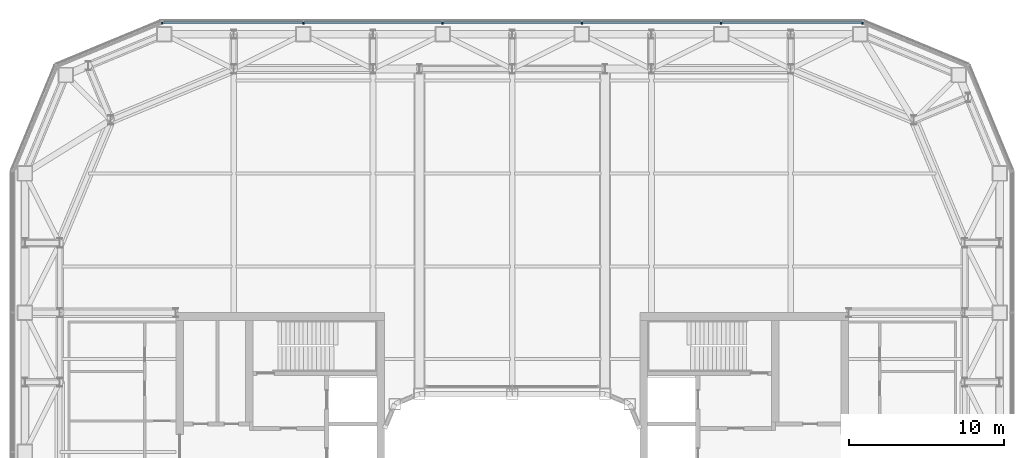
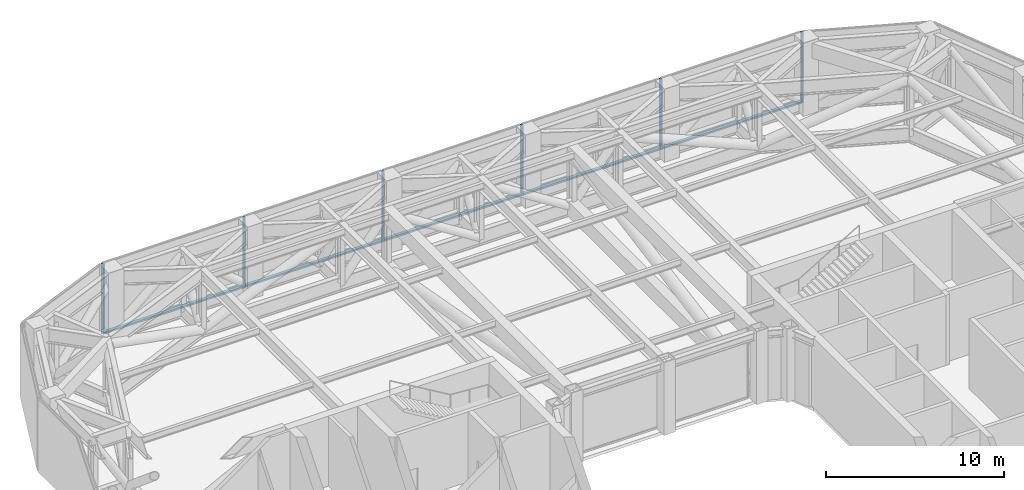
# One storey, part 14 of 33: 11 members, 2 elements without a shape of their own.
"""IFC4 building model written with IfcOpenShell, lengths in metres."""

from ifc_helpers import new_model, si_unit, direction, frame, origin, origin_2d, place, context, subcontext, project, spatial, rectangle, extrude, material, layer, layer_set, material_profile, profile_set, type_object, element, aggregate, save


model = new_model("IFC4")

# Units and contexts
model_context = context("Model", 3, precision=1e-05, world=origin(), true_north=direction((0.0, 1.0)))
body_context = subcontext(model_context, "Body", "Model", "MODEL_VIEW")
ifc_project = project(units=[si_unit("LENGTHUNIT", "METRE"), si_unit("AREAUNIT", "SQUARE_METRE"), si_unit("VOLUMEUNIT", "CUBIC_METRE"), si_unit("PLANEANGLEUNIT", "RADIAN"), si_unit("MASSUNIT", "GRAM", prefix="KILO")], contexts=[model_context])

# Site, building, storey
site_placement = place(None, origin())
site = spatial("IfcSite", under=ifc_project, at=site_placement, CompositionType="ELEMENT")
building_placement = place(site_placement, origin())
building = spatial("IfcBuilding", under=site, at=building_placement, Name="Siwar Civic Tower", CompositionType="ELEMENT")
storey_placement = place(building_placement, frame((0.0, 0.0, 94.199951171875)))
storey = spatial("IfcBuildingStorey", under=building, at=storey_placement, Name="L20", CompositionType="ELEMENT", Elevation=94.199951171875)

# Curtain wall, members
ifc_material_1 = material(Name="Aluminium and glass", Category="aluminium")
ifc_layer = layer(ifc_material_1, 0.199951171875)
ifc_layer_set = layer_set([ifc_layer], Name="Aluminium and glass")
curtain_wall_type = type_object("IfcCurtainWallType", Name="ENV-CW-P", PredefinedType="NOTDEFINED", material=ifc_layer_set)
curtain_wall_1_placement = place(storey_placement, origin())
curtain_wall_1 = element("IfcCurtainWall", 1, at=curtain_wall_1_placement, inside=storey, type_object=curtain_wall_type, Name="Curtain wall P N", PredefinedType="NOTDEFINED")
ifc_material_2 = material(Name="Aluminium 6063-T6", Category="aluminium")
ifc_material_profile_1 = material_profile(ifc_material_2, rectangle(XDim=0.199951171875, YDim=0.10009765625, at=origin_2d()), Name="AL 200x100")
ifc_profile_set_1 = profile_set([ifc_material_profile_1], Name="Aluminium 6063-T6")
member_type_1 = type_object("IfcMemberType", Name="ENV-MULLION-P", PredefinedType="MULLION", material=ifc_profile_set_1)
member_1_placement = place(storey_placement, frame((22.649169921875, 32.25, 0.0), z_axis=(0.0, 0.0, 1.0), x_axis=(0.0, -1.0, 0.0)))
member_1 = element("IfcMember", 2, at=member_1_placement, type_object=member_type_1, Name="Mullion P N 1", PredefinedType="MULLION", context=body_context, shape_type="SweptSolid", body=[
    extrude(rectangle(XDim=0.199951171875, YDim=0.10009765625, at=origin_2d()), origin(), (0.0, 0.0, 1.0), 4.800048828125),
])
member_2_placement = place(storey_placement, frame((13.5, 32.25, 0.0), z_axis=(0.0, 0.0, 1.0), x_axis=(0.0, -1.0, 0.0)))
member_2 = element("IfcMember", 3, at=member_2_placement, type_object=member_type_1, Name="Mullion P N 2", PredefinedType="MULLION", context=body_context, shape_type="SweptSolid", body=[
    extrude(rectangle(XDim=0.199951171875, YDim=0.10009765625, at=origin_2d()), origin(), (0.0, 0.0, 1.0), 4.800048828125),
])
member_3_placement = place(storey_placement, frame((4.5, 32.25, 0.0), z_axis=(0.0, 0.0, 1.0), x_axis=(0.0, -1.0, 0.0)))
member_3 = element("IfcMember", 4, at=member_3_placement, type_object=member_type_1, Name="Mullion P N 3", PredefinedType="MULLION", context=body_context, shape_type="SweptSolid", body=[
    extrude(rectangle(XDim=0.199951171875, YDim=0.10009765625, at=origin_2d()), origin(), (0.0, 0.0, 1.0), 4.800048828125),
])
member_4_placement = place(storey_placement, frame((-4.5, 32.25, 0.0), z_axis=(0.0, 0.0, 1.0), x_axis=(0.0, -1.0, 0.0)))
member_4 = element("IfcMember", 5, at=member_4_placement, type_object=member_type_1, Name="Mullion P N 4", PredefinedType="MULLION", context=body_context, shape_type="SweptSolid", body=[
    extrude(rectangle(XDim=0.199951171875, YDim=0.10009765625, at=origin_2d()), origin(), (0.0, 0.0, 1.0), 4.800048828125),
])
member_5_placement = place(storey_placement, frame((-13.5, 32.25, 0.0), z_axis=(0.0, 0.0, 1.0), x_axis=(0.0, -1.0, 0.0)))
member_5 = element("IfcMember", 6, at=member_5_placement, type_object=member_type_1, Name="Mullion P N 5", PredefinedType="MULLION", context=body_context, shape_type="SweptSolid", body=[
    extrude(rectangle(XDim=0.199951171875, YDim=0.10009765625, at=origin_2d()), origin(), (0.0, 0.0, 1.0), 4.800048828125),
])

# Curtain wall, member
curtain_wall_2_placement = place(storey_placement, origin())
curtain_wall_2 = element("IfcCurtainWall", 7, at=curtain_wall_2_placement, inside=storey, type_object=curtain_wall_type, Name="Curtain wall P NW1", PredefinedType="NOTDEFINED")
member_6_placement = place(storey_placement, frame((-22.649169921875, 32.25, 0.0), z_axis=(0.0, 0.0, 1.0), x_axis=(0.382683432365, -0.923879532511, 0.0)))
member_6 = element("IfcMember", 8, at=member_6_placement, type_object=member_type_1, Name="Mullion P NW1 1", PredefinedType="MULLION", context=body_context, shape_type="SweptSolid", body=[
    extrude(rectangle(XDim=0.199951171875, YDim=0.10009765625, at=origin_2d()), origin(), (0.0, 0.0, 1.0), 4.800048828125),
])
aggregate(curtain_wall_2, [member_6])

# Member
ifc_material_3 = material(Name="Aluminium 6063-T6", Category="aluminium")
ifc_material_profile_2 = material_profile(ifc_material_3, rectangle(XDim=0.199951171875, YDim=0.1201171875, at=origin_2d()), Name="AL 200x120")
ifc_profile_set_2 = profile_set([ifc_material_profile_2], Name="Aluminium 6063-T6")
member_type_2 = type_object("IfcMemberType", Name="ENV-TRANSOM-P", PredefinedType="USERDEFINED", material=ifc_profile_set_2)
member_7_placement = place(storey_placement, frame((22.59912109375, 32.25, 0.06005859375), z_axis=(-1.0, 0.0, 0.0), x_axis=(0.0, -1.0, 0.0)))
member_7 = element("IfcMember", 9, at=member_7_placement, type_object=member_type_2, Name="Transom P N 1", ObjectType="TRANSOM", PredefinedType="USERDEFINED", context=body_context, shape_type="SweptSolid", body=[
    extrude(rectangle(XDim=0.199951171875, YDim=0.1201171875, at=origin_2d()), origin(), (0.0, 0.0, 1.0), 9.049072265625),
])

member_8_placement = place(storey_placement, frame((13.449951171875, 32.25, 0.06005859375), z_axis=(-1.0, 0.0, 0.0), x_axis=(0.0, -1.0, 0.0)))
member_8 = element("IfcMember", 10, at=member_8_placement, type_object=member_type_2, Name="Transom P N 2", ObjectType="TRANSOM", PredefinedType="USERDEFINED", context=body_context, shape_type="SweptSolid", body=[
    extrude(rectangle(XDim=0.199951171875, YDim=0.1201171875, at=origin_2d()), origin(), (0.0, 0.0, 1.0), 8.89990234375),
])

member_9_placement = place(storey_placement, frame((4.449951171875, 32.25, 0.06005859375), z_axis=(-1.0, 0.0, 0.0), x_axis=(0.0, -1.0, 0.0)))
member_9 = element("IfcMember", 11, at=member_9_placement, type_object=member_type_2, Name="Transom P N 3", ObjectType="TRANSOM", PredefinedType="USERDEFINED", context=body_context, shape_type="SweptSolid", body=[
    extrude(rectangle(XDim=0.199951171875, YDim=0.1201171875, at=origin_2d()), origin(), (0.0, 0.0, 1.0), 8.89990234375),
])

member_10_placement = place(storey_placement, frame((-4.550048828125, 32.25, 0.06005859375), z_axis=(-1.0, 0.0, 0.0), x_axis=(0.0, -1.0, 0.0)))
member_10 = element("IfcMember", 12, at=member_10_placement, type_object=member_type_2, Name="Transom P N 4", ObjectType="TRANSOM", PredefinedType="USERDEFINED", context=body_context, shape_type="SweptSolid", body=[
    extrude(rectangle(XDim=0.199951171875, YDim=0.1201171875, at=origin_2d()), origin(), (0.0, 0.0, 1.0), 8.89990234375),
])

member_11_placement = place(storey_placement, frame((-13.550048828125, 32.25, 0.06005859375), z_axis=(-1.0, 0.0, 0.0), x_axis=(0.0, -1.0, 0.0)))
member_11 = element("IfcMember", 13, at=member_11_placement, type_object=member_type_2, Name="Transom P N 5", ObjectType="TRANSOM", PredefinedType="USERDEFINED", context=body_context, shape_type="SweptSolid", body=[
    extrude(rectangle(XDim=0.199951171875, YDim=0.1201171875, at=origin_2d()), origin(), (0.0, 0.0, 1.0), 8.97314453125),
])

aggregate(curtain_wall_1, [member_1, member_2, member_3, member_4, member_5, member_7, member_8, member_9, member_10, member_11])

save(model, "model.ifc")
